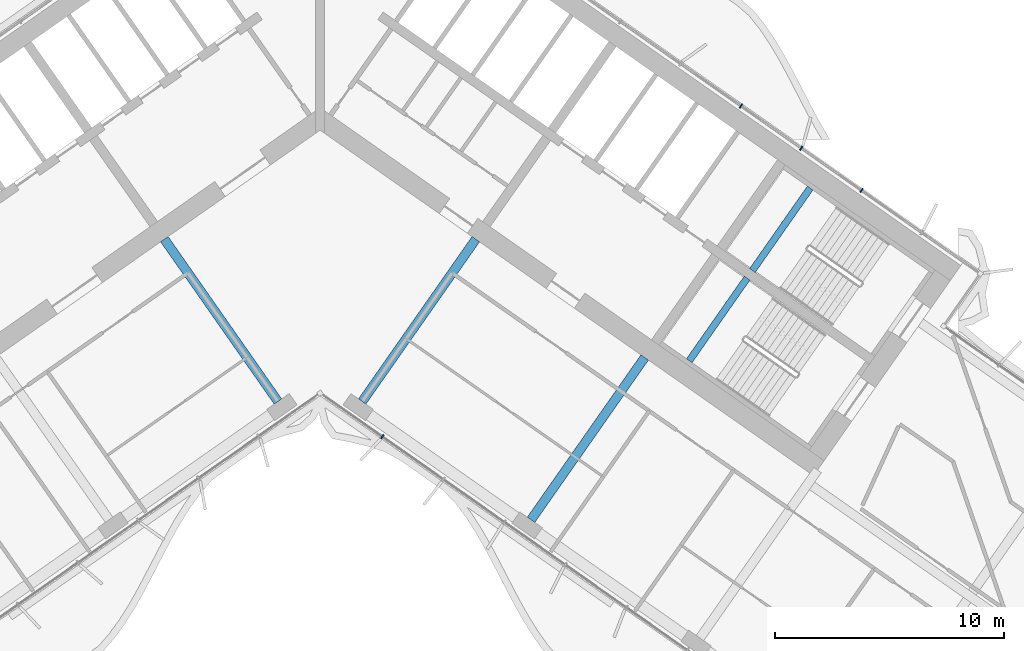
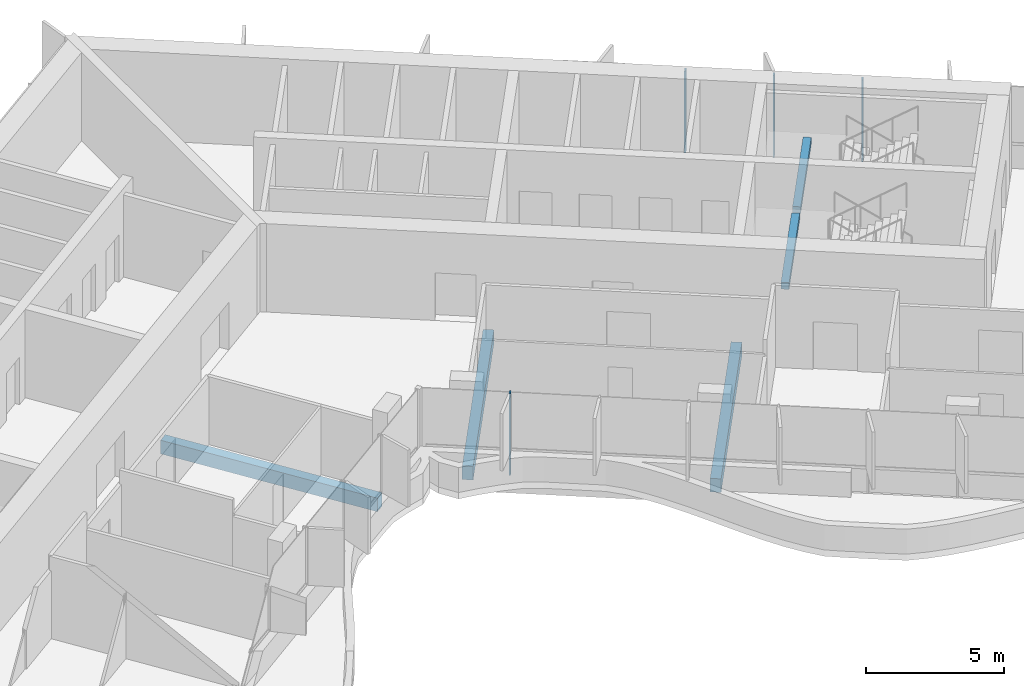
# One storey, part 7 of 23: 5 beams, 4 members, 2 elements without a shape of their own.
"""IFC4 building model written with IfcOpenShell, lengths in metres."""

from ifc_helpers import new_model, si_unit, direction, frame, origin, origin_2d, place, context, subcontext, project, spatial, rectangle, extrude, material, material_profile, profile_set, type_object, element, aggregate, save


model = new_model("IFC4")

# Units and contexts
model_context = context("Model", 3, precision=1e-05, world=origin(), true_north=direction((0.0, 1.0)))
body_context = subcontext(model_context, "Body", "Model", "MODEL_VIEW")
ifc_project = project(units=[si_unit("LENGTHUNIT", "METRE"), si_unit("AREAUNIT", "SQUARE_METRE"), si_unit("VOLUMEUNIT", "CUBIC_METRE"), si_unit("PLANEANGLEUNIT", "RADIAN"), si_unit("MASSUNIT", "GRAM", prefix="KILO")], contexts=[model_context])

# Site, building, storey
site_placement = place(None, origin())
site = spatial("IfcSite", under=ifc_project, at=site_placement, CompositionType="ELEMENT")
building_placement = place(site_placement, origin())
building = spatial("IfcBuilding", under=site, at=building_placement, Name="Tel Ilan Convention Tower", CompositionType="ELEMENT")
storey_placement = place(building_placement, frame((0.0, 0.0, 194.39990234375)))
storey = spatial("IfcBuildingStorey", under=building, at=storey_placement, Name="L45", CompositionType="ELEMENT", Elevation=194.39990234375)

# Beams
ifc_material_1 = material(Name="Concrete C40/50", Category="concrete")
ifc_material_profile_1 = material_profile(ifc_material_1, rectangle(XDim=0.39990234375, YDim=0.60009765625, at=origin_2d()), Name="RC 400x600")
ifc_profile_set_1 = profile_set([ifc_material_profile_1], Name="Concrete C40/50")
beam_type_1 = type_object("IfcBeamType", Name="Beam RC 400x600 Concrete C40/50", PredefinedType="BEAM", material=ifc_profile_set_1)
for number, where, z_axis, x_axis, name in (
    (1, (-1.83740234375, -13.06689453125, -0.579833984375), (-0.573574099654, 0.819153680457, 0.0), (-0.819153680457, -0.573574099654, 0.0), "L45 beam W-W-F1-core"),
    (2, (1.83740234375, -13.06689453125, -0.579833984375), (0.573574099654, 0.819153680457, 0.0), (-0.819153680457, 0.573574099654, 0.0), "L45 beam E-E-F1-core"),
    (3, (9.209716796875, -18.229248046875, -0.579833984375), (0.573574099654, 0.819153680457, 0.0), (-0.819153680457, 0.573574099654, 0.0), "L45 beam E-E-F2-core"),
):
    element("IfcBeam", number, at=place(storey_placement, frame(where, z_axis=z_axis, x_axis=x_axis)), inside=storey, type_object=beam_type_1, Name=name, PredefinedType="BEAM", context=body_context, shape_type="SweptSolid", body=[
        extrude(rectangle(XDim=0.39990234375, YDim=0.60009765625, at=origin_2d()), origin(), (0.0, 0.0, 1.0), 8.64990234375),
    ])

# Curtain wall, members
ifc_material_2 = material(Name="Aluminium, bronze anodised", Category="aluminium")
curtain_wall_type_1 = type_object("IfcCurtainWallType", Name="CW2 STICK CURTAIN WALL, SPANDREL PANELS", PredefinedType="NOTDEFINED", material=ifc_material_2)
curtain_wall_1_placement = place(storey_placement, origin())
curtain_wall_1 = element("IfcCurtainWall", 4, at=curtain_wall_1_placement, inside=storey, type_object=curtain_wall_type_1, Name="Curtain wall CW2-35.01", PredefinedType="NOTDEFINED")
ifc_material_3 = material(Name="Aluminium, bronze anodised", Category="aluminium")
ifc_material_profile_2 = material_profile(ifc_material_3, rectangle(XDim=0.06005859375, YDim=0.199951171875, at=origin_2d()), Name="CW MULLION 60x200")
ifc_profile_set_2 = profile_set([ifc_material_profile_2], Name="Aluminium, bronze anodised")
member_type = type_object("IfcMemberType", Name="CW MULLION 60x200", PredefinedType="MULLION", material=ifc_profile_set_2)
member_1_placement = place(storey_placement, frame((23.63623046875, -3.854248046875, 0.0), z_axis=(0.0, 0.0, 1.0), x_axis=(-0.819152044289, 0.573576436351, 0.0)))
member_1 = element("IfcMember", 5, at=member_1_placement, type_object=member_type, Name="Mullion", PredefinedType="MULLION", context=body_context, shape_type="SweptSolid", body=[
    extrude(rectangle(XDim=0.06005859375, YDim=0.199951171875, at=origin_2d()), origin(), (0.0, 0.0, 1.0), 3.6201171875),
])
member_2_placement = place(storey_placement, frame((21.003662109375, -2.0107421875, 0.0), z_axis=(0.0, 0.0, 1.0), x_axis=(-0.819152044289, 0.573576436351, 0.0)))
member_2 = element("IfcMember", 6, at=member_2_placement, type_object=member_type, Name="Mullion", PredefinedType="MULLION", context=body_context, shape_type="SweptSolid", body=[
    extrude(rectangle(XDim=0.06005859375, YDim=0.199951171875, at=origin_2d()), origin(), (0.0, 0.0, 1.0), 3.6201171875),
])
member_3_placement = place(storey_placement, frame((18.37109375, -0.16748046875, 0.0), z_axis=(0.0, 0.0, 1.0), x_axis=(-0.819152044289, 0.573576436351, 0.0)))
member_3 = element("IfcMember", 7, at=member_3_placement, type_object=member_type, Name="Mullion", PredefinedType="MULLION", context=body_context, shape_type="SweptSolid", body=[
    extrude(rectangle(XDim=0.06005859375, YDim=0.199951171875, at=origin_2d()), origin(), (0.0, 0.0, 1.0), 3.6201171875),
])
aggregate(curtain_wall_1, [member_1, member_2, member_3])

# Curtain wall, member
ifc_material_4 = material(Name="Aluminium, bronze anodised", Category="aluminium")
curtain_wall_type_2 = type_object("IfcCurtainWallType", Name="CW4 STICK CURTAIN WALL, OFFICE TINTED GLASS", PredefinedType="NOTDEFINED", material=ifc_material_4)
curtain_wall_2_placement = place(storey_placement, origin())
curtain_wall_2 = element("IfcCurtainWall", 8, at=curtain_wall_2_placement, inside=storey, type_object=curtain_wall_type_2, Name="Curtain wall CW4-35.02", PredefinedType="NOTDEFINED")
member_4_placement = place(storey_placement, frame((2.719482421875, -14.60009765625, 0.0), z_axis=(0.0, 0.0, 1.0), x_axis=(0.819152044289, -0.573576436351, 0.0)))
member_4 = element("IfcMember", 9, at=member_4_placement, type_object=member_type, Name="Mullion", PredefinedType="MULLION", context=body_context, shape_type="SweptSolid", body=[
    extrude(rectangle(XDim=0.06005859375, YDim=0.199951171875, at=origin_2d()), origin(), (0.0, 0.0, 1.0), 3.6201171875),
])
aggregate(curtain_wall_2, [member_4])

# Beams
ifc_material_5 = material(Name="Concrete C40/50", Category="concrete")
ifc_material_profile_3 = material_profile(ifc_material_5, rectangle(XDim=0.300048828125, YDim=0.300048828125, at=origin_2d()), Name="RC 300x300")
ifc_profile_set_3 = profile_set([ifc_material_profile_3], Name="Concrete C40/50")
beam_type_2 = type_object("IfcBeamType", Name="Landing Beam RC 300x300 Concrete C40/50", PredefinedType="BEAM", material=ifc_profile_set_3)
beam_1_placement = place(storey_placement, frame((21.39404296875, -3.7490234375, 1.60009765625), z_axis=(-0.57354426506, -0.819174569928, 0.0), x_axis=(0.819174569928, -0.57354426506, 0.0)))
element("IfcBeam", 10, at=beam_1_placement, inside=storey, type_object=beam_type_2, Name="S3 landing beam L45.1", PredefinedType="BEAM", context=body_context, shape_type="SweptSolid", body=[
    extrude(rectangle(XDim=0.300048828125, YDim=0.300048828125, at=origin_2d()), origin(), (0.0, 0.0, 1.0), 4.400146484375),
])
beam_2_placement = place(storey_placement, frame((18.640869140625, -7.68115234375, 1.60009765625), z_axis=(-0.573570334442, -0.819156316858, 0.0), x_axis=(0.819156316858, -0.573570334442, 0.0)))
element("IfcBeam", 11, at=beam_2_placement, inside=storey, type_object=beam_type_2, Name="S4 landing beam L45.1", PredefinedType="BEAM", context=body_context, shape_type="SweptSolid", body=[
    extrude(rectangle(XDim=0.300048828125, YDim=0.300048828125, at=origin_2d()), origin(), (0.0, 0.0, 1.0), 4.39990234375),
])

save(model, "model.ifc")
